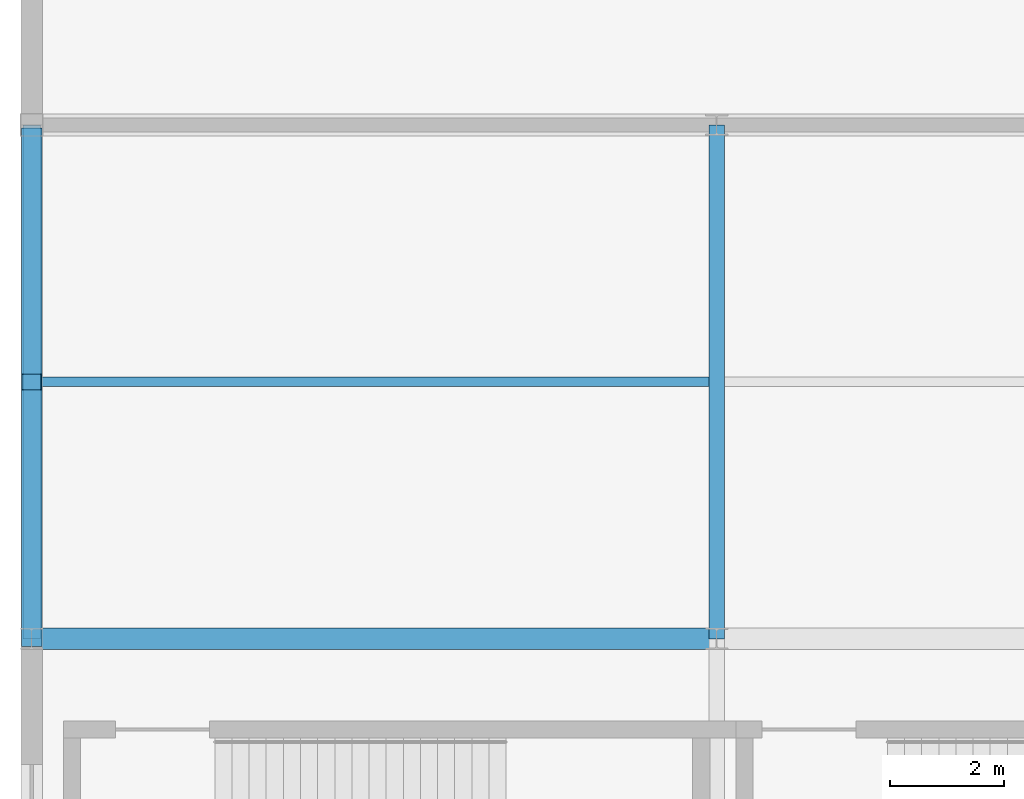
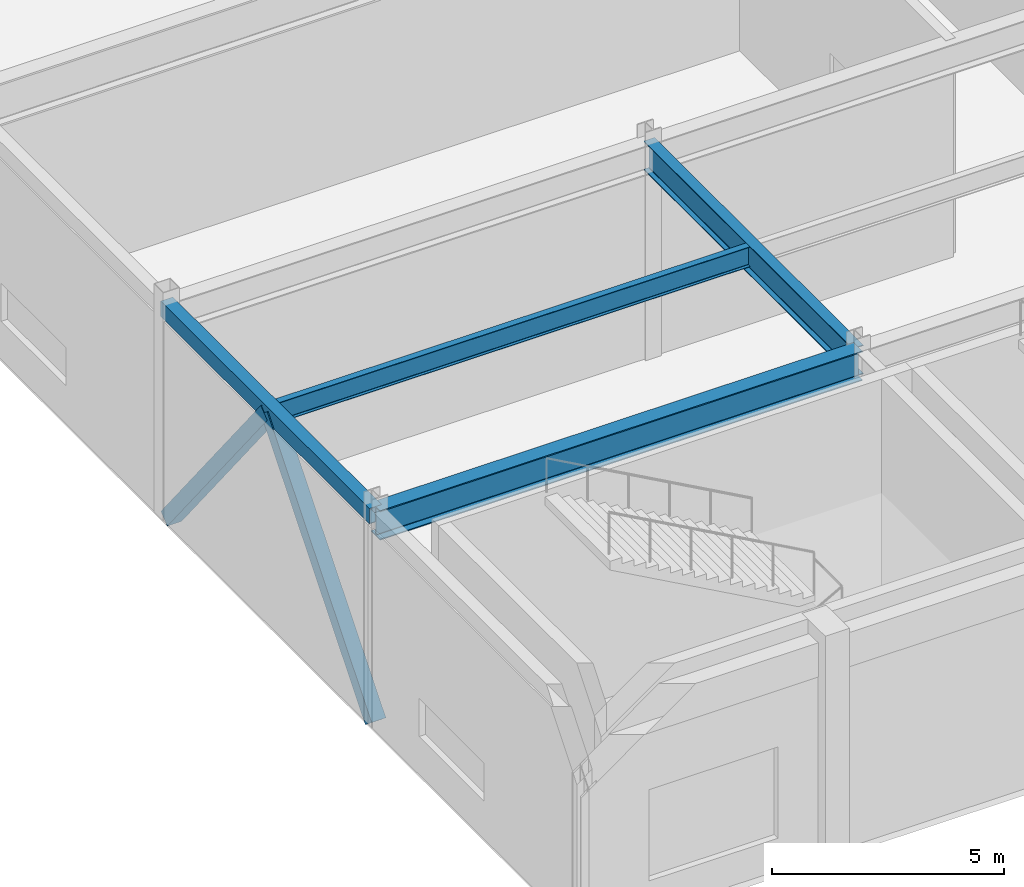
# One storey, part 18 of 108: 4 beams, 2 members.
"""IFC4 building model written with IfcOpenShell, lengths in metres."""

from ifc_helpers import new_model, si_unit, direction, frame, origin, origin_2d, place, context, subcontext, project, spatial, hollow_rectangle, i_section, extrude, material, material_profile, profile_set, type_object, element, save


model = new_model("IFC4")

# Units and contexts
model_context = context("Model", 3, precision=1e-05, world=origin(), true_north=direction((0.0, 1.0)))
body_context = subcontext(model_context, "Body", "Model", "MODEL_VIEW")
ifc_project = project(units=[si_unit("LENGTHUNIT", "METRE"), si_unit("AREAUNIT", "SQUARE_METRE"), si_unit("VOLUMEUNIT", "CUBIC_METRE"), si_unit("PLANEANGLEUNIT", "RADIAN"), si_unit("MASSUNIT", "GRAM", prefix="KILO")], contexts=[model_context])

# Site, building, storey
site_placement = place(None, origin())
site = spatial("IfcSite", under=ifc_project, at=site_placement, CompositionType="ELEMENT")
building_placement = place(site_placement, origin())
building = spatial("IfcBuilding", under=site, at=building_placement, Name="Kaldorvane Square Convention Centre", CompositionType="ELEMENT")
storey_placement = place(building_placement, frame((0.0, 0.0, 12.0)))
storey = spatial("IfcBuildingStorey", under=building, at=storey_placement, Name="L02", CompositionType="ELEMENT", Elevation=12.0)

# Beams
ifc_material_1 = material(Name="Steel ASTM A992 Gr. 50", Category="steel")
ifc_material_profile_1 = material_profile(ifc_material_1, i_section(OverallWidth=0.2666015625, OverallDepth=0.762298583984375, WebThickness=0.014404296875, FlangeThickness=0.0216064453125, FilletRadius=0.0164947509765625, at=origin_2d()), Name="W30X116")
ifc_profile_set_1 = profile_set([ifc_material_profile_1], Name="Steel ASTM A992 Gr. 50")
beam_type_1 = type_object("IfcBeamType", Name="BM-GR-W30X116", PredefinedType="BEAM", material=ifc_profile_set_1)
beam_1_placement = place(storey_placement, frame((12.0, 9.0, 5.264801025390625), z_axis=(0.0, 1.0, 0.0), x_axis=(-1.0, 0.0, 0.0)))
element("IfcBeam", 1, at=beam_1_placement, inside=storey, type_object=beam_type_1, Name="Transverse Girder (L02)", PredefinedType="BEAM", context=body_context, shape_type="SweptSolid", body=[
    extrude(i_section(OverallWidth=0.2666015625, OverallDepth=0.762298583984375, WebThickness=0.014404296875, FlangeThickness=0.0216064453125, FilletRadius=0.0164947509765625, at=origin_2d()), origin(), (0.0, 0.0, 1.0), 9.0),
])
ifc_material_profile_2 = material_profile(ifc_material_1, i_section(OverallWidth=0.380706787109375, OverallDepth=0.773193359375, WebThickness=0.0166015625, FlangeThickness=0.027099609375, FilletRadius=0.0164947509765625, at=origin_2d()), Name="W30X173")
ifc_profile_set_2 = profile_set([ifc_material_profile_2], Name="Steel ASTM A992 Gr. 50")
beam_type_2 = type_object("IfcBeamType", Name="BM-GR-W30X173", PredefinedType="BEAM", material=ifc_profile_set_2)
beam_2_placement = place(storey_placement, frame((0.0, 9.0, 5.2593994140625), z_axis=(1.0, 0.0, 0.0), x_axis=(0.0, 1.0, 0.0)))
element("IfcBeam", 2, at=beam_2_placement, inside=storey, type_object=beam_type_2, Name="Primary Girder (L02)", PredefinedType="BEAM", context=body_context, shape_type="SweptSolid", body=[
    extrude(i_section(OverallWidth=0.380706787109375, OverallDepth=0.773193359375, WebThickness=0.0166015625, FlangeThickness=0.027099609375, FilletRadius=0.0164947509765625, at=origin_2d()), origin(), (0.0, 0.0, 1.0), 12.0),
])
ifc_material_profile_3 = material_profile(ifc_material_1, i_section(OverallWidth=0.1658935546875, OverallDepth=0.5290985107421875, WebThickness=0.00970458984375, FlangeThickness=0.0135955810546875, FilletRadius=0.0126953125, at=origin_2d()), Name="W21X50")
ifc_profile_set_3 = profile_set([ifc_material_profile_3], Name="Steel ASTM A992 Gr. 50")
beam_type_3 = type_object("IfcBeamType", Name="BM-JS-W21X50", PredefinedType="JOIST", material=ifc_profile_set_3)
beam_3_placement = place(storey_placement, frame((0.15240478515625, 13.5, 5.3813934326171875), z_axis=(1.0, 0.0, 0.0), x_axis=(0.0, 1.0, 0.0)))
element("IfcBeam", 3, at=beam_3_placement, inside=storey, type_object=beam_type_3, Name="Secondary Floor Joist (L02)", PredefinedType="JOIST", context=body_context, shape_type="SweptSolid", body=[
    extrude(i_section(OverallWidth=0.1658935546875, OverallDepth=0.5290985107421875, WebThickness=0.00970458984375, FlangeThickness=0.0135955810546875, FilletRadius=0.0126953125, at=origin_2d()), origin(), (0.0, 0.0, 1.0), 11.71429443359375),
])
ifc_material_2 = material(Name="Steel ASTM A500 Gr. C", Category="steel")
ifc_material_profile_4 = material_profile(ifc_material_2, hollow_rectangle(XDim=0.3047943115234375, YDim=0.406402587890625, WallThickness=0.0117950439453125, at=origin_2d()), Name="HSS16X12X1/2")
ifc_profile_set_4 = profile_set([ifc_material_profile_4], Name="Steel ASTM A500 Gr. C")
beam_type_4 = type_object("IfcBeamType", Name="BM-SP-HSS16", PredefinedType="SPANDREL", material=ifc_profile_set_4)
beam_4_placement = place(storey_placement, frame((0.0, 9.0, 5.4427947998046875), z_axis=(0.0, 1.0, 0.0), x_axis=(-1.0, 0.0, 0.0)))
element("IfcBeam", 4, at=beam_4_placement, inside=storey, type_object=beam_type_4, Name="End Spandrel (L02)", PredefinedType="SPANDREL", context=body_context, shape_type="SweptSolid", body=[
    extrude(hollow_rectangle(XDim=0.3047943115234375, YDim=0.406402587890625, WallThickness=0.0117950439453125, at=origin_2d()), origin(), (0.0, 0.0, 1.0), 9.0),
])

# Members
ifc_material_profile_5 = material_profile(ifc_material_2, hollow_rectangle(XDim=0.3556060791015625, YDim=0.3556060791015625, WallThickness=0.0117950439453125, at=origin_2d()), Name="HSS14X14X1/2")
ifc_profile_set_5 = profile_set([ifc_material_profile_5], Name="Steel ASTM A500 Gr. C")
member_type = type_object("IfcMemberType", Name="MB-BR-HSS14", PredefinedType="BRACE", material=ifc_profile_set_5)
member_1_placement = place(storey_placement, frame((0.0, 9.0, 0.0), z_axis=(0.0, 0.637199383553, 0.770698998053), x_axis=(-1.0, 0.0, 0.0)))
element("IfcMember", 5, at=member_1_placement, inside=storey, type_object=member_type, Name="Seismic Chevron Brace X0-B1A (L02)", PredefinedType="BRACE", context=body_context, shape_type="SweptSolid", body=[
    extrude(hollow_rectangle(XDim=0.3556060791015625, YDim=0.3556060791015625, WallThickness=0.0117950439453125, at=origin_2d()), origin(), (0.0, 0.0, 1.0), 7.0621490478515625),
])
member_2_placement = place(storey_placement, frame((0.0, 17.80419921875, 0.0500030517578125), z_axis=(0.0, -0.623807904287, 0.781577698344), x_axis=(1.0, 0.0, 0.0)))
element("IfcMember", 6, at=member_2_placement, inside=storey, type_object=member_type, Name="Seismic Chevron Brace X0-B1B (L02)", PredefinedType="BRACE", context=body_context, shape_type="SweptSolid", body=[
    extrude(hollow_rectangle(XDim=0.3556060791015625, YDim=0.3556060791015625, WallThickness=0.0117950439453125, at=origin_2d()), origin(), (0.0, 0.0, 1.0), 6.899871826171875),
])

save(model, "model.ifc")
